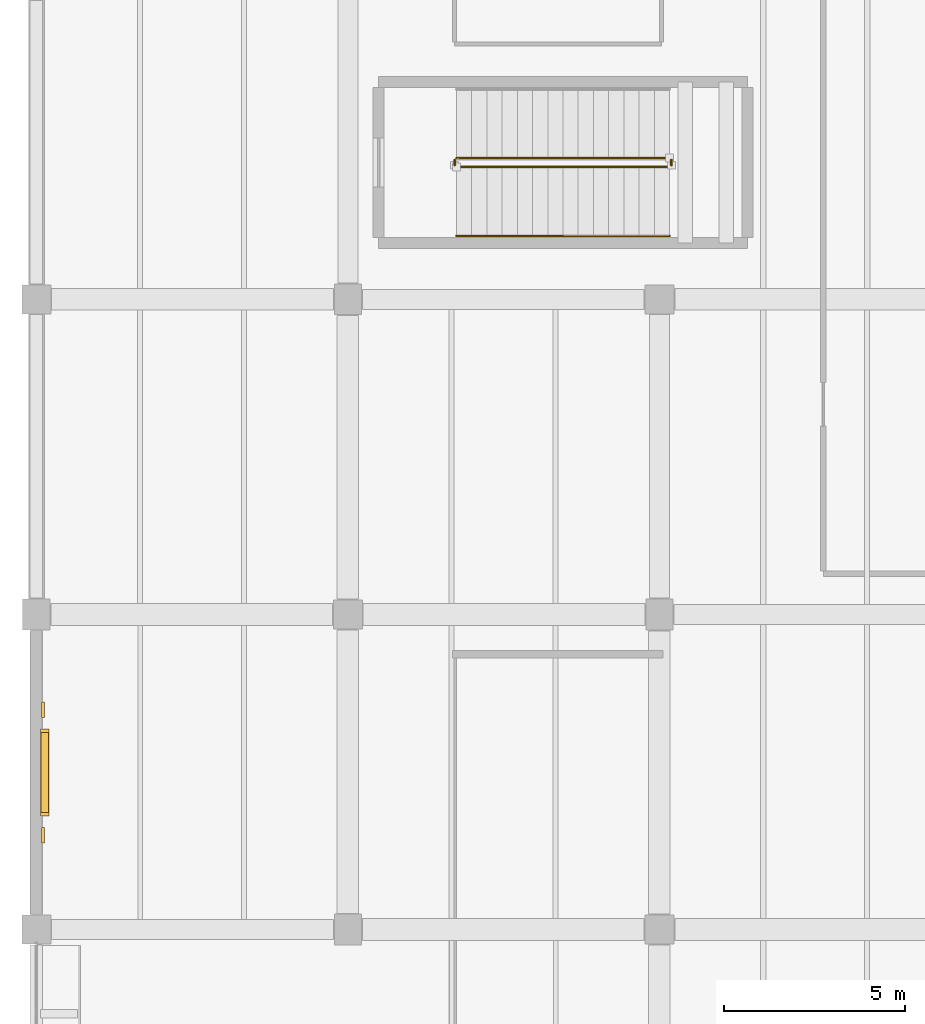
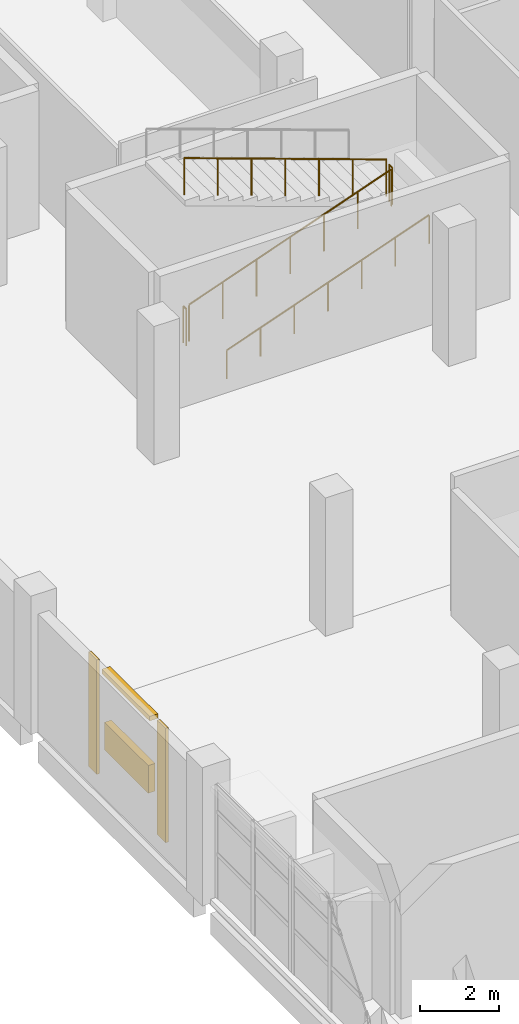
# One storey, part 73 of 76: 5 railings, 2 coverings, 2 shading devices.
"""IFC4 building model written with IfcOpenShell, lengths in metres."""

from ifc_helpers import new_model, si_unit, direction, frame, origin, origin_2d, place, context, subcontext, project, spatial, rectangle, circle, extrude, material, layer, layer_set, type_object, element, save


model = new_model("IFC4")

# Units and contexts
model_context = context("Model", 3, precision=1e-05, world=origin(), true_north=direction((0.0, 1.0)))
body_context = subcontext(model_context, "Body", "Model", "MODEL_VIEW")
ifc_project = project(units=[si_unit("LENGTHUNIT", "METRE"), si_unit("AREAUNIT", "SQUARE_METRE"), si_unit("VOLUMEUNIT", "CUBIC_METRE"), si_unit("PLANEANGLEUNIT", "RADIAN"), si_unit("MASSUNIT", "GRAM", prefix="KILO")], contexts=[model_context])

# Site, building, storey
site_placement = place(None, origin())
site = spatial("IfcSite", under=ifc_project, at=site_placement, CompositionType="ELEMENT")
building_placement = place(site_placement, origin())
building = spatial("IfcBuilding", under=site, at=building_placement, Name="Varnakota Cinema and Media Centre", CompositionType="ELEMENT")
storey_placement = place(building_placement, origin())
storey = spatial("IfcBuildingStorey", under=building, at=storey_placement, Name="L00", CompositionType="ELEMENT", Elevation=0.0)

# Coverings
ifc_material_1 = material(Name="Pale Tandur limestone cladding", Category="masonry")
ifc_layer_1 = layer(ifc_material_1, 0.06005859375)
ifc_layer_set_1 = layer_set([ifc_layer_1], Name="Pale Tandur limestone cladding")
covering_type = type_object("IfcCoveringType", Name="COV-TANDUR-ASHLAR-60", PredefinedType="CLADDING", material=ifc_layer_set_1)
for number, where, z_axis, x_axis, name in (
    (1, (0.18505859375, 75.570068359375, 0.06005859375), (0.0, 0.0, 1.0), (0.0, -1.0, 0.0), "L00 acoustic studio stone relief pilaster V5-W-N-1.1"),
    (2, (0.18505859375, 72.10498046875, 0.06005859375), (0.0, 0.0, 1.0), (0.0, -1.0, 0.0), "L00 acoustic studio stone relief pilaster V5-W-N-1.2"),
):
    element("IfcCovering", number, at=place(storey_placement, frame(where, z_axis=z_axis, x_axis=x_axis)), inside=storey, type_object=covering_type, Name=name, PredefinedType="CLADDING", context=body_context, shape_type="SweptSolid", body=[
        extrude(rectangle(XDim=0.419921875, YDim=0.080078125, at=origin_2d()), origin(), (0.0, 0.0, 1.0), 3.514892578125),
    ])

# Railings
ifc_material_2 = material(Name="Structural steel Grade 350 (E350)", Category="steel")
ifc_layer_2 = layer(ifc_material_2, 0.050048828125)
ifc_layer_set_2 = layer_set([ifc_layer_2], Name="Structural steel Grade 350 (E350)")
railing_type_1 = type_object("IfcRailingType", Name="RAIL-STAIR-GUARD-1150", PredefinedType="GUARDRAIL", material=ifc_layer_set_2)
railing_1_placement = place(storey_placement, frame((11.60009765625, 90.550048828125, 0.14990234375)))
element("IfcRailing", 3, at=railing_1_placement, inside=storey, type_object=railing_type_1, Name="L00 ST-05 stair guard 1", PredefinedType="GUARDRAIL", context=body_context, shape_type="SweptSolid", body=[
    extrude(circle(Radius=0.02392578125, at=origin_2d()), frame((0.0, 0.0, 1.1259765625), z_axis=(0.941734834084, 0.0, 0.33635621337), x_axis=(0.0, 1.0, 0.0)), (0.0, 0.0, 1.0), 6.24365234375),
    extrude(circle(Radius=0.02099609375, at=origin_2d()), origin(), (0.0, 0.0, 1.0), 1.101806640625),
    extrude(circle(Radius=0.02099609375, at=origin_2d()), frame((0.97998046875, 0.0, 0.35009765625)), (0.0, 0.0, 1.0), 1.101806640625),
    extrude(circle(Radius=0.02099609375, at=origin_2d()), frame((1.9599609375, 0.0, 0.699951171875)), (0.0, 0.0, 1.0), 1.101806640625),
    extrude(circle(Radius=0.02099609375, at=origin_2d()), frame((2.93994140625, 0.0, 1.050048828125)), (0.0, 0.0, 1.0), 1.101806640625),
    extrude(circle(Radius=0.02099609375, at=origin_2d()), frame((3.919921875, 0.0, 1.400146484375)), (0.0, 0.0, 1.0), 1.101806640625),
    extrude(circle(Radius=0.02099609375, at=origin_2d()), frame((4.89990234375, 0.0, 1.75)), (0.0, 0.0, 1.0), 1.101806640625),
    extrude(circle(Radius=0.02099609375, at=origin_2d()), frame((5.8798828125, 0.0, 2.10009765625)), (0.0, 0.0, 1.0), 1.101806640625),
])
railing_2_placement = place(storey_placement, frame((17.530029296875, 90.60009765625, 2.25)))
element("IfcRailing", 4, at=railing_2_placement, inside=storey, type_object=railing_type_1, Name="L00 ST-05 stair guard 2", PredefinedType="GUARDRAIL", context=body_context, shape_type="SweptSolid", body=[
    extrude(circle(Radius=0.02392578125, at=origin_2d()), frame((0.0, 0.0, 1.1259765625), z_axis=(0.0, 1.0, 0.0), x_axis=(-1.0, 0.0, 0.0)), (0.0, 0.0, 1.0), 0.14990234375),
    extrude(circle(Radius=0.02099609375, at=origin_2d()), origin(), (0.0, 0.0, 1.0), 1.101806640625),
    extrude(circle(Radius=0.02099609375, at=origin_2d()), frame((0.0, 0.14990234375, 0.0)), (0.0, 0.0, 1.0), 1.101806640625),
])
railing_3_placement = place(storey_placement, frame((17.47998046875, 90.800048828125, 2.39990234375)))
element("IfcRailing", 5, at=railing_3_placement, inside=storey, type_object=railing_type_1, Name="L00 ST-05 stair guard 3", PredefinedType="GUARDRAIL", context=body_context, shape_type="SweptSolid", body=[
    extrude(circle(Radius=0.02392578125, at=origin_2d()), frame((0.0, 0.0, 1.1259765625), z_axis=(-0.941734834084, 0.0, 0.33635621337), x_axis=(0.0, -1.0, 0.0)), (0.0, 0.0, 1.0), 6.24365234375),
    extrude(circle(Radius=0.02099609375, at=origin_2d()), origin(), (0.0, 0.0, 1.0), 1.101806640625),
    extrude(circle(Radius=0.02099609375, at=origin_2d()), frame((-0.97998046875, 0.0, 0.35009765625)), (0.0, 0.0, 1.0), 1.101806640625),
    extrude(circle(Radius=0.02099609375, at=origin_2d()), frame((-1.9599609375, 0.0, 0.699951171875)), (0.0, 0.0, 1.0), 1.101806640625),
    extrude(circle(Radius=0.02099609375, at=origin_2d()), frame((-2.93994140625, 0.0, 1.050048828125)), (0.0, 0.0, 1.0), 1.101806640625),
    extrude(circle(Radius=0.02099609375, at=origin_2d()), frame((-3.919921875, 0.0, 1.400146484375)), (0.0, 0.0, 1.0), 1.101806640625),
    extrude(circle(Radius=0.02099609375, at=origin_2d()), frame((-4.89990234375, 0.0, 1.75)), (0.0, 0.0, 1.0), 1.101806640625),
    extrude(circle(Radius=0.02099609375, at=origin_2d()), frame((-5.8798828125, 0.0, 2.10009765625)), (0.0, 0.0, 1.0), 1.101806640625),
])
railing_4_placement = place(storey_placement, frame((11.550048828125, 90.60009765625, 0.0)))
element("IfcRailing", 6, at=railing_4_placement, inside=storey, type_object=railing_type_1, Name="L00 ST-05 stair guard 4", PredefinedType="GUARDRAIL", context=body_context, shape_type="SweptSolid", body=[
    extrude(circle(Radius=0.02392578125, at=origin_2d()), frame((0.0, 0.0, 1.1259765625), z_axis=(0.0, 1.0, 0.0), x_axis=(-1.0, 0.0, 0.0)), (0.0, 0.0, 1.0), 0.14990234375),
    extrude(circle(Radius=0.02099609375, at=origin_2d()), origin(), (0.0, 0.0, 1.0), 1.101806640625),
    extrude(circle(Radius=0.02099609375, at=origin_2d()), frame((0.0, 0.14990234375, 0.0)), (0.0, 0.0, 1.0), 1.101806640625),
])
ifc_material_3 = material(Name="Structural steel Grade 350 (E350)", Category="steel")
ifc_layer_3 = layer(ifc_material_3, 0.048095703125)
ifc_layer_set_3 = layer_set([ifc_layer_3], Name="Structural steel Grade 350 (E350)")
railing_type_2 = type_object("IfcRailingType", Name="RAIL-STAIR-HAND-900", PredefinedType="HANDRAIL", material=ifc_layer_set_3)
railing_5_placement = place(storey_placement, frame((11.60009765625, 88.64990234375, 0.14990234375)))
element("IfcRailing", 7, at=railing_5_placement, inside=storey, type_object=railing_type_2, Name="L00 ST-05 stair handrail 1", PredefinedType="HANDRAIL", context=body_context, shape_type="SweptSolid", body=[
    extrude(circle(Radius=0.02392578125, at=origin_2d()), frame((0.0, 0.0, 0.8759765625), z_axis=(0.941734834084, 0.0, 0.33635621337), x_axis=(0.0, 1.0, 0.0)), (0.0, 0.0, 1.0), 6.24365234375),
    extrude(circle(Radius=0.02099609375, at=origin_2d()), origin(), (0.0, 0.0, 1.0), 0.851806640625),
    extrude(circle(Radius=0.02099609375, at=origin_2d()), frame((0.97998046875, 0.0, 0.35009765625)), (0.0, 0.0, 1.0), 0.851806640625),
    extrude(circle(Radius=0.02099609375, at=origin_2d()), frame((1.9599609375, 0.0, 0.699951171875)), (0.0, 0.0, 1.0), 0.851806640625),
    extrude(circle(Radius=0.02099609375, at=origin_2d()), frame((2.93994140625, 0.0, 1.050048828125)), (0.0, 0.0, 1.0), 0.851806640625),
    extrude(circle(Radius=0.02099609375, at=origin_2d()), frame((3.919921875, 0.0, 1.400146484375)), (0.0, 0.0, 1.0), 0.851806640625),
    extrude(circle(Radius=0.02099609375, at=origin_2d()), frame((4.89990234375, 0.0, 1.75)), (0.0, 0.0, 1.0), 0.851806640625),
    extrude(circle(Radius=0.02099609375, at=origin_2d()), frame((5.8798828125, 0.0, 2.10009765625)), (0.0, 0.0, 1.0), 0.851806640625),
])

# Shading devices
ifc_material_4 = material(Name="Precast concrete M40", Category="concrete")
shading_device_type_1 = type_object("IfcShadingDeviceType", Name="SHD-CHAJJA-1050", PredefinedType="AWNING", material=ifc_material_4)
shading_device_1_placement = place(storey_placement, frame((0.22998046875, 73.83740234375, 3.365234375), z_axis=(0.0, 0.0, 1.0), x_axis=(0.0, -1.0, 0.0)))
element("IfcShadingDevice", 8, at=shading_device_1_placement, inside=storey, type_object=shading_device_type_1, Name="L00 acoustic intake weather hood V5-W-N-1", PredefinedType="AWNING", context=body_context, shape_type="SweptSolid", body=[
    extrude(rectangle(XDim=2.39990234375, YDim=0.239990234375, at=origin_2d()), origin(), (0.0, 0.0, 1.0), 0.139892578125),
])
ifc_material_5 = material(Name="Precast concrete M40", Category="concrete")
shading_device_type_2 = type_object("IfcShadingDeviceType", Name="SHD-FIN-1050", PredefinedType="JALOUSIE", material=ifc_material_5)
shading_device_2_placement = place(storey_placement, frame((0.22998046875, 73.83740234375, 1.074951171875), z_axis=(0.0, 0.0, 1.0), x_axis=(0.0, -1.0, 0.0)))
element("IfcShadingDevice", 9, at=shading_device_2_placement, inside=storey, type_object=shading_device_type_2, Name="L00 studio acoustic louvre screen V5-W-N-1", PredefinedType="JALOUSIE", context=body_context, shape_type="SweptSolid", body=[
    extrude(rectangle(XDim=2.199951171875, YDim=0.199951171875, at=origin_2d()), origin(), (0.0, 0.0, 1.0), 0.85009765625),
])

save(model, "model.ifc")
